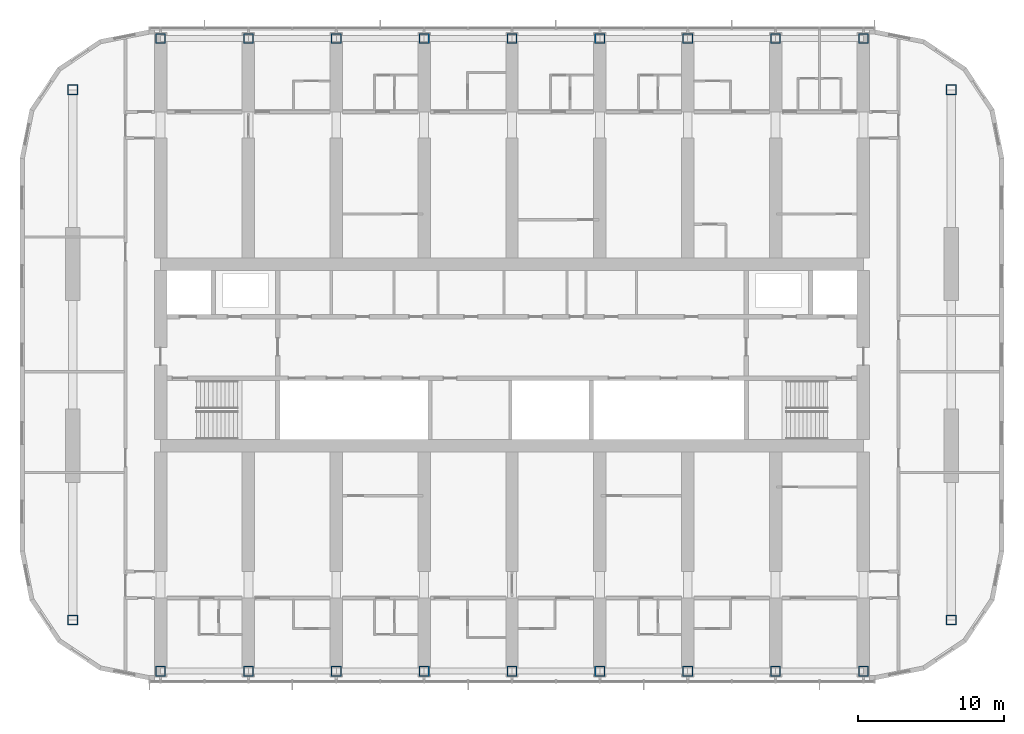
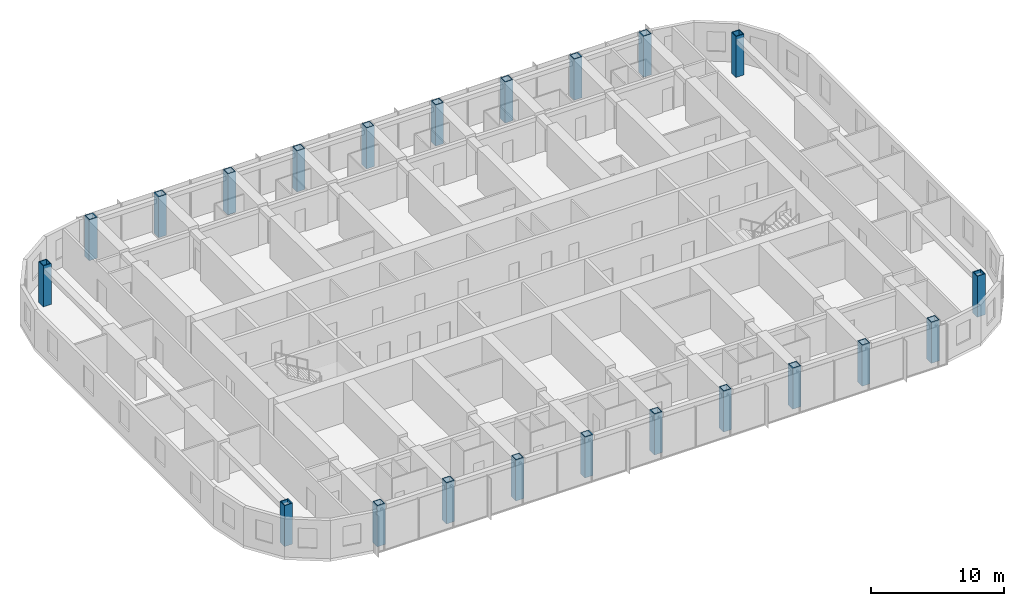
# One storey, part 1 of 22: 22 columns.
"""IFC4 building model written with IfcOpenShell, lengths in metres."""

from ifc_helpers import new_model, si_unit, direction, frame, origin, origin_2d, place, context, subcontext, project, spatial, hollow_rectangle, extrude, material, material_profile, profile_set, type_object, element, save


model = new_model("IFC4")

# Units and contexts
model_context = context("Model", 3, precision=1e-05, world=origin(), true_north=direction((0.0, 1.0)))
body_context = subcontext(model_context, "Body", "Model", "MODEL_VIEW")
ifc_project = project(units=[si_unit("LENGTHUNIT", "METRE"), si_unit("AREAUNIT", "SQUARE_METRE"), si_unit("VOLUMEUNIT", "CUBIC_METRE"), si_unit("PLANEANGLEUNIT", "RADIAN"), si_unit("MASSUNIT", "GRAM", prefix="KILO")], contexts=[model_context])

# Site, building, storey
site_placement = place(None, origin())
site = spatial("IfcSite", under=ifc_project, at=site_placement, CompositionType="ELEMENT")
building_placement = place(site_placement, origin())
building = spatial("IfcBuilding", under=site, at=building_placement, Name="Orbita Commons", CompositionType="ELEMENT")
storey_placement = place(building_placement, frame((0.0, 0.0, 156.10009765625)))
storey = spatial("IfcBuildingStorey", under=building, at=storey_placement, Name="L38", CompositionType="ELEMENT", Elevation=156.10009765625)

# Columns
ifc_material = material(Name="Steel ASTM A572 Gr 50 welded plate", Category="steel")
ifc_material_profile = material_profile(ifc_material, hollow_rectangle(XDim=0.699951171875, YDim=0.699951171875, WallThickness=0.070068359375, at=origin_2d()), Name="BOX 700x700x70")
ifc_profile_set = profile_set([ifc_material_profile], Name="Steel ASTM A572 Gr 50 welded plate")
column_type = type_object("IfcColumnType", Name="Steel column BOX 700x700x70", PredefinedType="COLUMN", material=ifc_profile_set)
for number, where, z_axis, x_axis, name in (
    (1, (18.0, 10.39990234375, 0.0), (0.0, 0.0, 1.0), (1.0, 0.0, 0.0), "Column 4/B L38"),
    (2, (18.0, 53.60009765625, 0.0), (0.0, 0.0, 1.0), (1.0, 0.0, 0.0), "Column 4/E L38"),
    (3, (24.0, 10.39990234375, 0.0), (0.0, 0.0, 1.0), (1.0, 0.0, 0.0), "Column 5/B L38"),
    (4, (24.0, 53.60009765625, 0.0), (0.0, 0.0, 1.0), (1.0, 0.0, 0.0), "Column 5/E L38"),
    (5, (30.0, 10.39990234375, 0.0), (0.0, 0.0, 1.0), (1.0, 0.0, 0.0), "Column 6/B L38"),
    (6, (30.0, 53.60009765625, 0.0), (0.0, 0.0, 1.0), (1.0, 0.0, 0.0), "Column 6/E L38"),
    (7, (36.0, 10.39990234375, 0.0), (0.0, 0.0, 1.0), (1.0, 0.0, 0.0), "Column 7/B L38"),
    (8, (36.0, 53.60009765625, 0.0), (0.0, 0.0, 1.0), (1.0, 0.0, 0.0), "Column 7/E L38"),
    (9, (42.0, 10.39990234375, 0.0), (0.0, 0.0, 1.0), (1.0, 0.0, 0.0), "Column 8/B L38"),
    (10, (42.0, 53.60009765625, 0.0), (0.0, 0.0, 1.0), (1.0, 0.0, 0.0), "Column 8/E L38"),
    (11, (48.0, 10.39990234375, 0.0), (0.0, 0.0, 1.0), (1.0, 0.0, 0.0), "Column 9/B L38"),
    (12, (48.0, 53.60009765625, 0.0), (0.0, 0.0, 1.0), (1.0, 0.0, 0.0), "Column 9/E L38"),
    (13, (54.0, 10.39990234375, 0.0), (0.0, 0.0, 1.0), (1.0, 0.0, 0.0), "Column 10/B L38"),
    (14, (54.0, 53.60009765625, 0.0), (0.0, 0.0, 1.0), (1.0, 0.0, 0.0), "Column 10/E L38"),
    (15, (60.0, 10.39990234375, 0.0), (0.0, 0.0, 1.0), (1.0, 0.0, 0.0), "Column 11/B L38"),
    (16, (60.0, 53.60009765625, 0.0), (0.0, 0.0, 1.0), (1.0, 0.0, 0.0), "Column 11/E L38"),
    (17, (66.0, 10.39990234375, 0.0), (0.0, 0.0, 1.0), (1.0, 0.0, 0.0), "Column 12/B L38"),
    (18, (66.0, 53.60009765625, 0.0), (0.0, 0.0, 1.0), (1.0, 0.0, 0.0), "Column 12/E L38"),
    (19, (12.0, 13.89990234375, 0.0), (0.0, 0.0, 1.0), (1.0, 0.0, 0.0), "Column 3/13.9 L38"),
    (20, (12.0, 50.10009765625, 0.0), (0.0, 0.0, 1.0), (1.0, 0.0, 0.0), "Column 3/50.1 L38"),
    (21, (72.0, 13.89990234375, 0.0), (0.0, 0.0, 1.0), (1.0, 0.0, 0.0), "Column 13/13.9 L38"),
    (22, (72.0, 50.10009765625, 0.0), (0.0, 0.0, 1.0), (1.0, 0.0, 0.0), "Column 13/50.1 L38"),
):
    element("IfcColumn", number, at=place(storey_placement, frame(where, z_axis=z_axis, x_axis=x_axis)), inside=storey, type_object=column_type, Name=name, PredefinedType="COLUMN", context=body_context, shape_type="SweptSolid", body=[
        extrude(hollow_rectangle(XDim=0.699951171875, YDim=0.699951171875, WallThickness=0.070068359375, at=origin_2d()), origin(), (0.0, 0.0, 1.0), 3.75),
    ])

save(model, "model.ifc")
